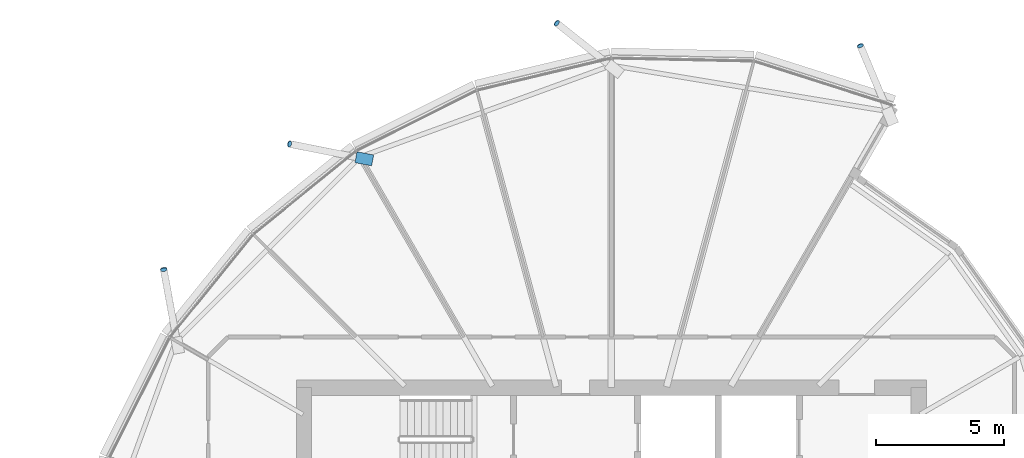
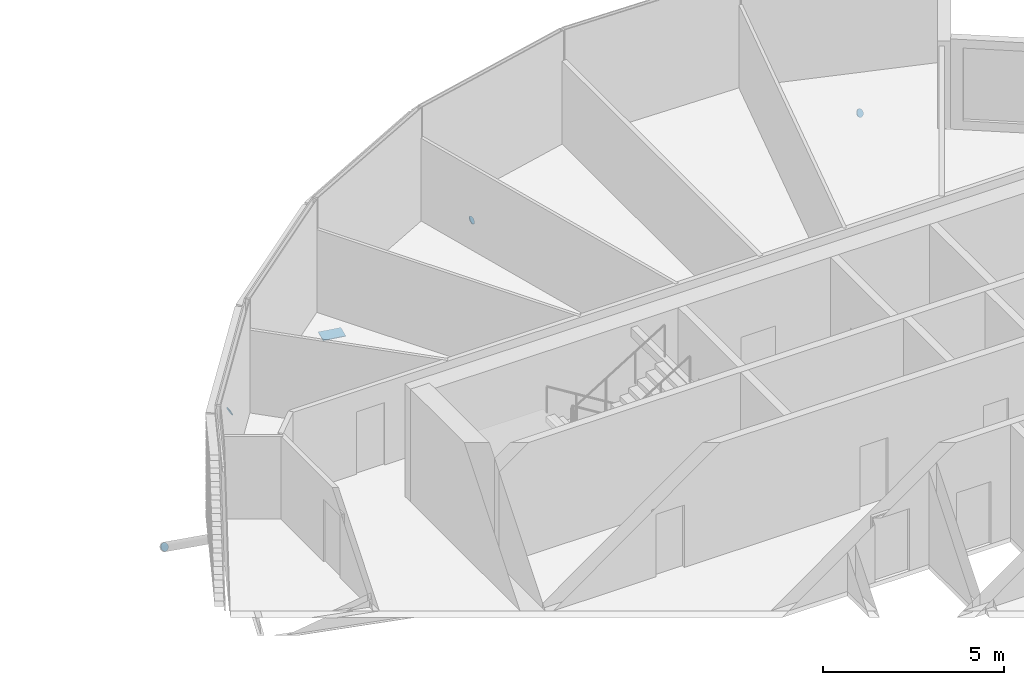
# One storey, part 31 of 37: 5 discrete accessories.
"""IFC4 building model written with IfcOpenShell, lengths in metres."""

from ifc_helpers import new_model, si_unit, direction, frame, origin, origin_2d, place, context, subcontext, project, spatial, polyline, rectangle, circle, outline, extrude, material, material_profile, profile_set, type_object, element, save


model = new_model("IFC4")

# Units and contexts
model_context = context("Model", 3, precision=1e-05, world=origin(), true_north=direction((0.0, 1.0)))
body_context = subcontext(model_context, "Body", "Model", "MODEL_VIEW")
ifc_project = project(units=[si_unit("LENGTHUNIT", "METRE"), si_unit("AREAUNIT", "SQUARE_METRE"), si_unit("VOLUMEUNIT", "CUBIC_METRE"), si_unit("PLANEANGLEUNIT", "RADIAN"), si_unit("MASSUNIT", "GRAM", prefix="KILO")], contexts=[model_context])

# Site, building, storey
site_placement = place(None, origin())
site = spatial("IfcSite", under=ifc_project, at=site_placement, CompositionType="ELEMENT")
building_placement = place(site_placement, origin())
building = spatial("IfcBuilding", under=site, at=building_placement, Name="Rimbun Link Towers", CompositionType="ELEMENT")
storey_placement = place(building_placement, frame((0.0, 0.0, 177.89990234375)))
storey = spatial("IfcBuildingStorey", under=building, at=storey_placement, Name="L43", CompositionType="ELEMENT", Elevation=177.89990234375)

# Discrete accessories
ifc_material_1 = material(Name="Steel S355J2H", Category="steel")
ifc_material_profile_1 = material_profile(ifc_material_1, circle(Radius=0.1240234375, at=origin_2d()), Name="PL D248")
ifc_profile_set_1 = profile_set([ifc_material_profile_1], Name="Steel S355J2H")
discrete_accessory_type_1 = type_object("IfcDiscreteAccessoryType", Name="Link foot sealing plate D248X20", PredefinedType="BRACKET", material=ifc_profile_set_1)
for number, where, z_axis, x_axis, name in (
    (1, (41.4677734375, 21.337646484375, -2.69970703125), (-0.327350892006, 0.788066962237, -0.521336605787), (-0.923496716237, -0.383606328283, 0.0), "Link foot sealing plate T2 L43 01"),
    (2, (29.62109375, 22.220458984375, -2.689453125), (-0.659665772572, 0.525289411492, -0.537505444318), (-0.62292678177, -0.782280144548, 0.0), "Link foot sealing plate T2 L43 03"),
    (3, (19.193115234375, 17.507080078125, -2.613525390625), (-0.828960140507, 0.15847767392, -0.536385973269), (-0.187775807301, -0.982211915114, 0.0), "Link foot sealing plate T2 L43 05"),
    (4, (14.27685546875, 12.599365234375, -2.489501953125), (-0.159022150317, 0.819575697788, -0.550461289559), (-0.981691567677, -0.190477468355, 0.0), "Link foot sealing plate T2 L43 07"),
):
    element("IfcDiscreteAccessory", number, at=place(storey_placement, frame(where, z_axis=z_axis, x_axis=x_axis)), inside=storey, type_object=discrete_accessory_type_1, Name=name, PredefinedType="BRACKET", context=body_context, shape_type="SweptSolid", body=[
        extrude(circle(Radius=0.1240234375, at=origin_2d()), origin(), (0.0, 0.0, 1.0), 0.02001953125),
    ])
ifc_material_2 = material(Name="Steel S355J2H", Category="steel")
ifc_material_profile_2 = material_profile(ifc_material_2, rectangle(XDim=0.43310546875, YDim=0.43310546875, at=origin_2d()), Name="PL 433x433")
ifc_profile_set_2 = profile_set([ifc_material_profile_2], Name="Steel S355J2H")
discrete_accessory_type_2 = type_object("IfcDiscreteAccessoryType", Name="Link head end plate 433X20", PredefinedType="BRACKET", material=ifc_profile_set_2)
discrete_accessory_placement = place(storey_placement, frame((0.0, 0.0, -0.702880859375)))
element("IfcDiscreteAccessory", 5, at=discrete_accessory_placement, inside=storey, type_object=discrete_accessory_type_2, Name="Link head end plate T2 L43 05", PredefinedType="BRACKET", context=body_context, shape_type="SweptSolid", body=[
    extrude(outline(polyline([(22.471923828125, 17.07666015625), (21.8203125, 17.2060546875), (21.736083984375, 16.781494140625), (22.3876953125, 16.652099609375), (22.471923828125, 17.07666015625)])), origin(), (0.0, 0.0, 1.0), 0.019775390625),
])

save(model, "model.ifc")
